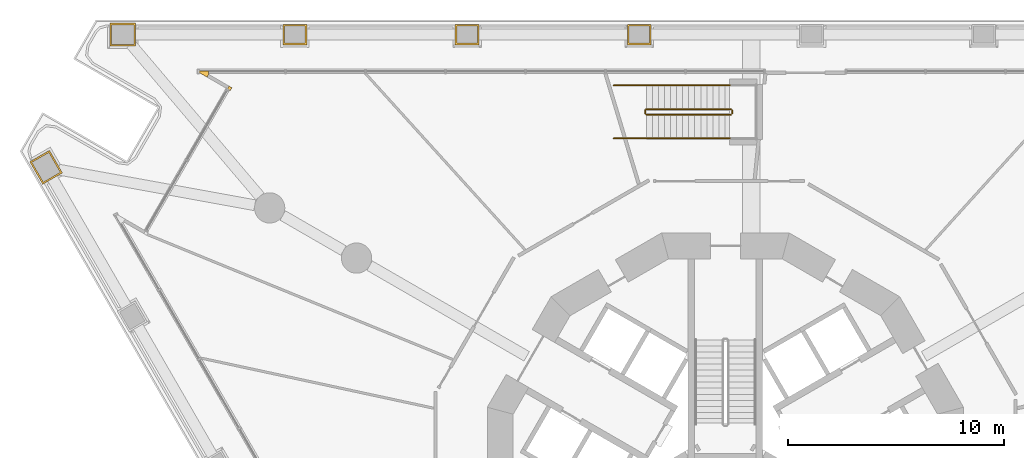
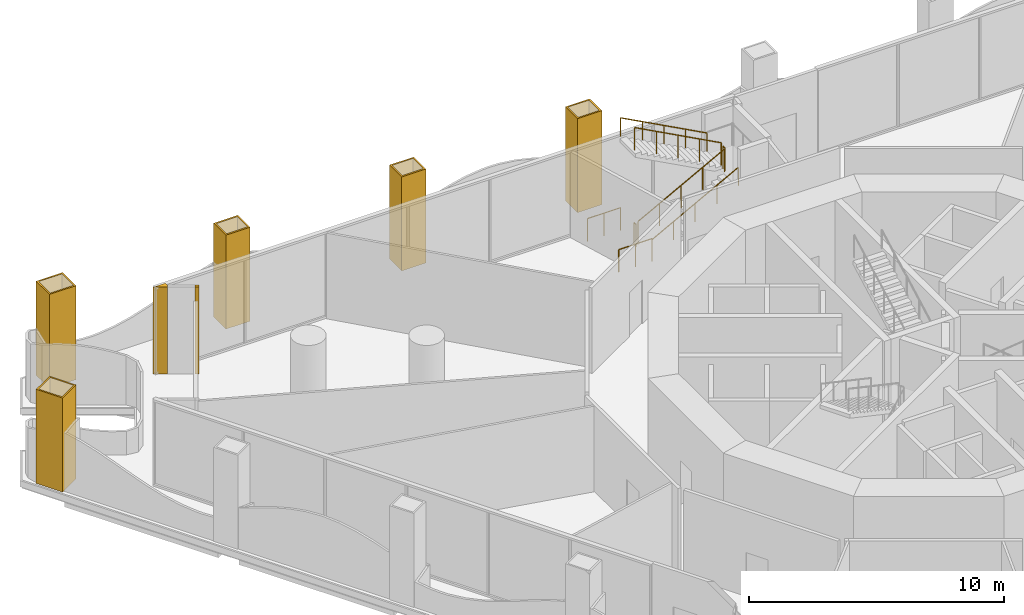
# One storey, part 19 of 21: 8 railings, 7 coverings.
"""IFC4 building model written with IfcOpenShell, lengths in metres."""

from ifc_helpers import new_model, si_unit, direction, frame, origin, origin_2d, place, context, subcontext, project, spatial, polyline, circle, outline, extrude, material, layer, layer_set, type_object, element, save


model = new_model("IFC4")

# Units and contexts
model_context = context("Model", 3, precision=1e-05, world=origin(), true_north=direction((0.0, 1.0)))
body_context = subcontext(model_context, "Body", "Model", "MODEL_VIEW")
ifc_project = project(units=[si_unit("LENGTHUNIT", "METRE"), si_unit("AREAUNIT", "SQUARE_METRE"), si_unit("VOLUMEUNIT", "CUBIC_METRE"), si_unit("PLANEANGLEUNIT", "RADIAN"), si_unit("MASSUNIT", "GRAM", prefix="KILO")], contexts=[model_context])

# Site, building, storey
site_placement = place(None, origin())
site = spatial("IfcSite", under=ifc_project, at=site_placement, CompositionType="ELEMENT")
building_placement = place(site_placement, origin())
building = spatial("IfcBuilding", under=site, at=building_placement, Name="Trine Commons Tower", CompositionType="ELEMENT")
storey_placement = place(building_placement, frame((0.0, 0.0, 9.0)))
storey = spatial("IfcBuildingStorey", under=building, at=storey_placement, Name="L01", CompositionType="ELEMENT", Elevation=9.0)

# Railings
ifc_material_1 = material(Name="Structural steel ASTM A500 Gr C", Category="steel")
railing_type_1 = type_object("IfcRailingType", Name="Glass and steel guard 1100 mm, ASTM A500 Gr C", PredefinedType="GUARDRAIL", material=ifc_material_1)
railing_1_placement = place(storey_placement, frame((76.340087890625, 78.985107421875, 0.14990234375)))
element("IfcRailing", 1, at=railing_1_placement, inside=storey, type_object=railing_type_1, Name="L01 PS1 stair guard 1", PredefinedType="GUARDRAIL", context=body_context, shape_type="SweptSolid", body=[
    extrude(circle(Radius=0.02392578125, at=origin_2d()), frame((0.0, 0.0, 1.076171875), z_axis=(0.881466911329, 0.0, 0.472245787945), x_axis=(0.0, 1.0, 0.0)), (0.0, 0.0, 1.0), 4.447021484375),
    extrude(circle(Radius=0.02099609375, at=origin_2d()), origin(), (0.0, 0.0, 1.0), 1.052001953125),
    extrude(circle(Radius=0.02099609375, at=origin_2d()), frame((0.97998046875, 0.0, 0.52490234375)), (0.0, 0.0, 1.0), 1.052001953125),
    extrude(circle(Radius=0.02099609375, at=origin_2d()), frame((1.9599609375, 0.0, 1.050048828125)), (0.0, 0.0, 1.0), 1.052001953125),
    extrude(circle(Radius=0.02099609375, at=origin_2d()), frame((2.93994140625, 0.0, 1.5751953125)), (0.0, 0.0, 1.0), 1.052001953125),
    extrude(circle(Radius=0.02099609375, at=origin_2d()), frame((3.919921875, 0.0, 2.10009765625)), (0.0, 0.0, 1.0), 1.052001953125),
])
railing_2_placement = place(storey_placement, frame((80.31005859375, 79.034912109375, 2.25)))
element("IfcRailing", 2, at=railing_2_placement, inside=storey, type_object=railing_type_1, Name="L01 PS1 stair guard 2", PredefinedType="GUARDRAIL", context=body_context, shape_type="SweptSolid", body=[
    extrude(circle(Radius=0.02392578125, at=origin_2d()), frame((0.0, 0.0, 1.076171875), z_axis=(0.0, 1.0, 0.0), x_axis=(-1.0, 0.0, 0.0)), (0.0, 0.0, 1.0), 0.150146484375),
    extrude(circle(Radius=0.02099609375, at=origin_2d()), origin(), (0.0, 0.0, 1.0), 1.052001953125),
    extrude(circle(Radius=0.02099609375, at=origin_2d()), frame((0.0, 0.150146484375, 0.0)), (0.0, 0.0, 1.0), 1.052001953125),
])
railing_3_placement = place(storey_placement, frame((80.260009765625, 79.235107421875, 2.39990234375)))
element("IfcRailing", 3, at=railing_3_placement, inside=storey, type_object=railing_type_1, Name="L01 PS1 stair guard 6", PredefinedType="GUARDRAIL", context=body_context, shape_type="SweptSolid", body=[
    extrude(circle(Radius=0.02392578125, at=origin_2d()), frame((0.0, 0.0, 1.076171875), z_axis=(-0.881466911329, 0.0, 0.472245787945), x_axis=(0.0, -1.0, 0.0)), (0.0, 0.0, 1.0), 4.447021484375),
    extrude(circle(Radius=0.02099609375, at=origin_2d()), origin(), (0.0, 0.0, 1.0), 1.052001953125),
    extrude(circle(Radius=0.02099609375, at=origin_2d()), frame((-0.97998046875, 0.0, 0.52490234375)), (0.0, 0.0, 1.0), 1.052001953125),
    extrude(circle(Radius=0.02099609375, at=origin_2d()), frame((-1.9599609375, 0.0, 1.050048828125)), (0.0, 0.0, 1.0), 1.052001953125),
    extrude(circle(Radius=0.02099609375, at=origin_2d()), frame((-2.93994140625, 0.0, 1.5751953125)), (0.0, 0.0, 1.0), 1.052001953125),
    extrude(circle(Radius=0.02099609375, at=origin_2d()), frame((-3.919921875, 0.0, 2.10009765625)), (0.0, 0.0, 1.0), 1.052001953125),
])
railing_4_placement = place(storey_placement, frame((76.2900390625, 79.034912109375, 0.0)))
element("IfcRailing", 4, at=railing_4_placement, inside=storey, type_object=railing_type_1, Name="L01 PS1 stair guard 7", PredefinedType="GUARDRAIL", context=body_context, shape_type="SweptSolid", body=[
    extrude(circle(Radius=0.02392578125, at=origin_2d()), frame((0.0, 0.0, 1.076171875), z_axis=(0.0, 1.0, 0.0), x_axis=(-1.0, 0.0, 0.0)), (0.0, 0.0, 1.0), 0.150146484375),
    extrude(circle(Radius=0.02099609375, at=origin_2d()), origin(), (0.0, 0.0, 1.0), 1.052001953125),
    extrude(circle(Radius=0.02099609375, at=origin_2d()), frame((0.0, 0.150146484375, 0.0)), (0.0, 0.0, 1.0), 1.052001953125),
])
for number, where, name in (
    (5, (74.840087890625, 77.885009765625, 0.0), "L01 PS1 stair guard 8"),
    (6, (74.840087890625, 80.3349609375, 0.0), "L01 PS1 stair guard 9"),
):
    element("IfcRailing", number, at=place(storey_placement, frame(where)), inside=storey, type_object=railing_type_1, Name=name, PredefinedType="GUARDRAIL", context=body_context, shape_type="SweptSolid", body=[
        extrude(circle(Radius=0.02392578125, at=origin_2d()), frame((0.0, 0.0, 1.076171875), z_axis=(1.0, 0.0, 0.0), x_axis=(0.0, 1.0, 0.0)), (0.0, 0.0, 1.0), 1.5),
        extrude(circle(Radius=0.02099609375, at=origin_2d()), origin(), (0.0, 0.0, 1.0), 1.052001953125),
        extrude(circle(Radius=0.02099609375, at=origin_2d()), frame((0.75, 0.0, 0.0)), (0.0, 0.0, 1.0), 1.052001953125),
        extrude(circle(Radius=0.02099609375, at=origin_2d()), frame((1.5, 0.0, 0.0)), (0.0, 0.0, 1.0), 1.052001953125),
    ])

# Coverings
ifc_material_2 = material(Name="Aluminium-framed insulated wall panel", Category="aluminium")
ifc_layer_1 = layer(ifc_material_2, 0.14990234375)
ifc_layer_set_1 = layer_set([ifc_layer_1], Name="Aluminium-framed insulated wall panel")
covering_type_1 = type_object("IfcCoveringType", Name="Glazing corner post, aluminium", PredefinedType="CLADDING", material=ifc_layer_set_1)
covering_1_placement = place(storey_placement, origin())
element("IfcCovering", 7, at=covering_1_placement, inside=storey, type_object=covering_type_1, Name="Glazing corner post 1-03", PredefinedType="CLADDING", context=body_context, shape_type="SweptSolid", body=[
    extrude(outline(polyline([(57.101318359375, 80.0966796875), (57.176513671875, 80.226806640625), (57.04638671875, 80.3017578125), (56.971435546875, 80.171875), (57.101318359375, 80.0966796875)])), origin(), (0.0, 0.0, 1.0), 4.14990234375),
])
covering_2_placement = place(storey_placement, origin())
element("IfcCovering", 8, at=covering_2_placement, inside=storey, type_object=covering_type_1, Name="Glazing corner post 1-04", PredefinedType="CLADDING", context=body_context, shape_type="SweptSolid", body=[
    extrude(outline(polyline([(56.03125, 80.714599609375), (56.106201171875, 80.844482421875), (56.106201171875, 80.99462890625), (55.54638671875, 80.99462890625), (56.03125, 80.714599609375)])), origin(), (0.0, 0.0, 1.0), 4.14990234375),
])
ifc_material_3 = material(Name="Limestone, honed", Category="masonry")
ifc_layer_2 = layer(ifc_material_3, 0.074951171875)
ifc_layer_set_2 = layer_set([ifc_layer_2], Name="Limestone, honed")
covering_type_2 = type_object("IfcCoveringType", Name="Limestone column cladding 75", PredefinedType="CLADDING", material=ifc_layer_set_2)
covering_3_placement = place(storey_placement, origin())
element("IfcCovering", 9, at=covering_3_placement, inside=storey, type_object=covering_type_2, Name="Limestone pier cladding 1-08", PredefinedType="CLADDING", context=body_context, shape_type="SweptSolid", body=[
    extrude(outline(polyline([(48.73828125, 77.327392578125), (47.8291015625, 76.802490234375), (48.428955078125, 75.76318359375), (49.33837890625, 76.288330078125), (48.73828125, 77.327392578125)]), holes=[polyline([(48.7109375, 77.22509765625), (47.931396484375, 76.775146484375), (48.45654296875, 75.86572265625), (49.23583984375, 76.315673828125), (48.7109375, 77.22509765625)])]), origin(), (0.0, 0.0, 1.0), 4.5),
])
covering_4_placement = place(storey_placement, origin())
element("IfcCovering", 10, at=covering_4_placement, inside=storey, type_object=covering_type_2, Name="Limestone pier cladding 1-09", PredefinedType="CLADDING", context=body_context, shape_type="SweptSolid", body=[
    extrude(outline(polyline([(52.728271484375, 82.15966796875), (52.728271484375, 83.209716796875), (51.5283203125, 83.209716796875), (51.5283203125, 82.15966796875), (52.728271484375, 82.15966796875)]), holes=[polyline([(52.6533203125, 82.234619140625), (52.6533203125, 83.134521484375), (51.603271484375, 83.134521484375), (51.603271484375, 82.234619140625), (52.6533203125, 82.234619140625)])]), origin(), (0.0, 0.0, 1.0), 4.5),
])
covering_5_placement = place(storey_placement, origin())
element("IfcCovering", 11, at=covering_5_placement, inside=storey, type_object=covering_type_2, Name="Limestone pier cladding 1-10", PredefinedType="CLADDING", context=body_context, shape_type="SweptSolid", body=[
    extrude(outline(polyline([(60.6416015625, 82.209716796875), (60.6416015625, 83.15966796875), (59.54150390625, 83.15966796875), (59.54150390625, 82.209716796875), (60.6416015625, 82.209716796875)]), holes=[polyline([(60.566650390625, 82.28466796875), (60.566650390625, 83.084716796875), (59.61669921875, 83.084716796875), (59.61669921875, 82.28466796875), (60.566650390625, 82.28466796875)])]), origin(), (0.0, 0.0, 1.0), 4.5),
])
covering_6_placement = place(storey_placement, origin())
element("IfcCovering", 12, at=covering_6_placement, inside=storey, type_object=covering_type_2, Name="Limestone pier cladding 1-11", PredefinedType="CLADDING", context=body_context, shape_type="SweptSolid", body=[
    extrude(outline(polyline([(68.60498046875, 82.209716796875), (68.60498046875, 83.15966796875), (67.5048828125, 83.15966796875), (67.5048828125, 82.209716796875), (68.60498046875, 82.209716796875)]), holes=[polyline([(68.52978515625, 82.28466796875), (68.52978515625, 83.084716796875), (67.579833984375, 83.084716796875), (67.579833984375, 82.28466796875), (68.52978515625, 82.28466796875)])]), origin(), (0.0, 0.0, 1.0), 4.5),
])
covering_7_placement = place(storey_placement, origin())
element("IfcCovering", 13, at=covering_7_placement, inside=storey, type_object=covering_type_2, Name="Limestone pier cladding 1-12", PredefinedType="CLADDING", context=body_context, shape_type="SweptSolid", body=[
    extrude(outline(polyline([(76.568359375, 82.209716796875), (76.568359375, 83.15966796875), (75.46826171875, 83.15966796875), (75.46826171875, 82.209716796875), (76.568359375, 82.209716796875)]), holes=[polyline([(76.493408203125, 82.28466796875), (76.493408203125, 83.084716796875), (75.543212890625, 83.084716796875), (75.543212890625, 82.28466796875), (76.493408203125, 82.28466796875)])]), origin(), (0.0, 0.0, 1.0), 4.5),
])

# Railings
railing_type_2 = type_object("IfcRailingType", Name="Podium stair handrail 900 mm, ASTM A500 Gr C", PredefinedType="HANDRAIL", material=ifc_material_1)
railing_5_placement = place(storey_placement, frame((76.340087890625, 77.885009765625, 0.14990234375)))
element("IfcRailing", 14, at=railing_5_placement, inside=storey, type_object=railing_type_2, Name="L01 PS1 stair handrail 1", PredefinedType="HANDRAIL", context=body_context, shape_type="SweptSolid", body=[
    extrude(circle(Radius=0.02392578125, at=origin_2d()), frame((0.0, 0.0, 0.8759765625), z_axis=(0.881466911329, 0.0, 0.472245787945), x_axis=(0.0, 1.0, 0.0)), (0.0, 0.0, 1.0), 4.447021484375),
    extrude(circle(Radius=0.02099609375, at=origin_2d()), origin(), (0.0, 0.0, 1.0), 0.851806640625),
    extrude(circle(Radius=0.02099609375, at=origin_2d()), frame((0.97998046875, 0.0, 0.52490234375)), (0.0, 0.0, 1.0), 0.851806640625),
    extrude(circle(Radius=0.02099609375, at=origin_2d()), frame((1.9599609375, 0.0, 1.050048828125)), (0.0, 0.0, 1.0), 0.851806640625),
    extrude(circle(Radius=0.02099609375, at=origin_2d()), frame((2.93994140625, 0.0, 1.5751953125)), (0.0, 0.0, 1.0), 0.851806640625),
    extrude(circle(Radius=0.02099609375, at=origin_2d()), frame((3.919921875, 0.0, 2.10009765625)), (0.0, 0.0, 1.0), 0.851806640625),
])
railing_6_placement = place(storey_placement, frame((80.260009765625, 80.3349609375, 2.39990234375)))
element("IfcRailing", 15, at=railing_6_placement, inside=storey, type_object=railing_type_2, Name="L01 PS1 stair handrail 2", PredefinedType="HANDRAIL", context=body_context, shape_type="SweptSolid", body=[
    extrude(circle(Radius=0.02392578125, at=origin_2d()), frame((0.0, 0.0, 0.8759765625), z_axis=(-0.881466911329, 0.0, 0.472245787945), x_axis=(0.0, -1.0, 0.0)), (0.0, 0.0, 1.0), 4.447021484375),
    extrude(circle(Radius=0.02099609375, at=origin_2d()), origin(), (0.0, 0.0, 1.0), 0.851806640625),
    extrude(circle(Radius=0.02099609375, at=origin_2d()), frame((-0.97998046875, 0.0, 0.52490234375)), (0.0, 0.0, 1.0), 0.851806640625),
    extrude(circle(Radius=0.02099609375, at=origin_2d()), frame((-1.9599609375, 0.0, 1.050048828125)), (0.0, 0.0, 1.0), 0.851806640625),
    extrude(circle(Radius=0.02099609375, at=origin_2d()), frame((-2.93994140625, 0.0, 1.5751953125)), (0.0, 0.0, 1.0), 0.851806640625),
    extrude(circle(Radius=0.02099609375, at=origin_2d()), frame((-3.919921875, 0.0, 2.10009765625)), (0.0, 0.0, 1.0), 0.851806640625),
])

save(model, "model.ifc")
